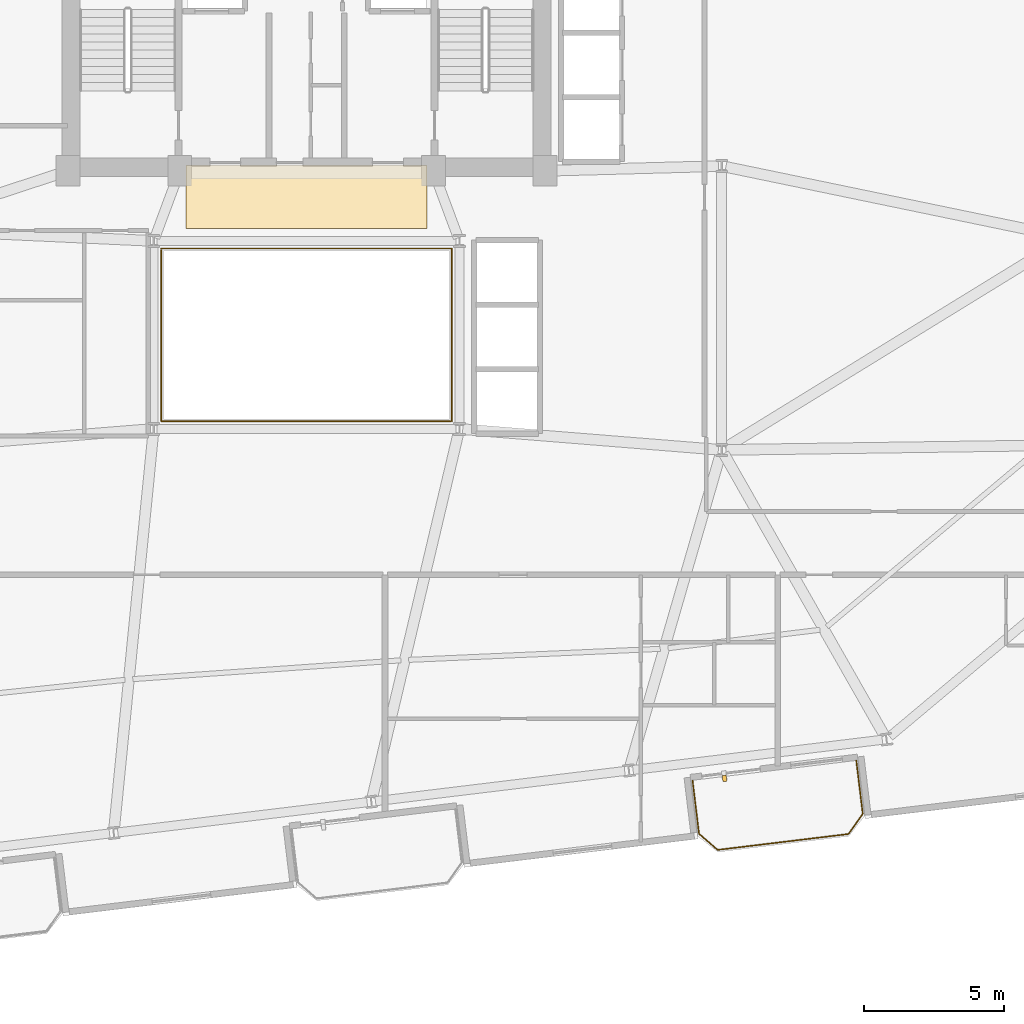
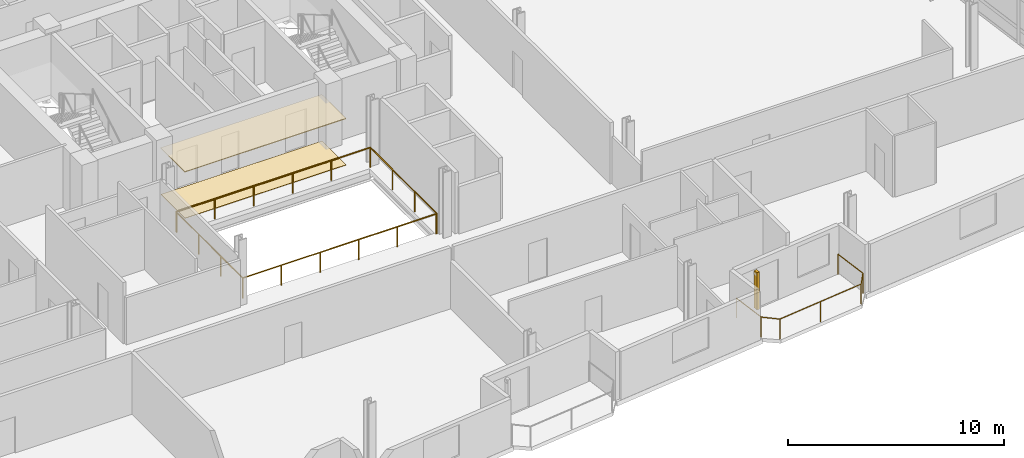
# One storey, part 21 of 23: 3 railings, 2 coverings, 1 shading device.
"""IFC4 building model written with IfcOpenShell, lengths in metres."""

from ifc_helpers import new_model, si_unit, direction, frame, origin, origin_2d, place, context, subcontext, project, spatial, rectangle, circle, extrude, source, transform, mapped, material, layer, layer_set, type_object, element, save


model = new_model("IFC4")

# Units and contexts
model_context = context("Model", 3, precision=1e-05, world=origin(), true_north=direction((0.0, 1.0)))
body_context = subcontext(model_context, "Body", "Model", "MODEL_VIEW")
ifc_project = project(units=[si_unit("LENGTHUNIT", "METRE"), si_unit("AREAUNIT", "SQUARE_METRE"), si_unit("VOLUMEUNIT", "CUBIC_METRE"), si_unit("PLANEANGLEUNIT", "RADIAN"), si_unit("MASSUNIT", "GRAM", prefix="KILO")], contexts=[model_context])

# Site, building, storey
site_placement = place(None, origin())
site = spatial("IfcSite", under=ifc_project, at=site_placement, CompositionType="ELEMENT")
building_placement = place(site_placement, origin())
building = spatial("IfcBuilding", under=site, at=building_placement, Name="Varnelok Gate Tower", CompositionType="ELEMENT")
storey_placement = place(building_placement, frame((0.0, 0.0, 182.0)))
storey = spatial("IfcBuildingStorey", under=building, at=storey_placement, Name="L46", CompositionType="ELEMENT", Elevation=182.0)

# Railings
ifc_material_1 = material(Name="Tempered Laminated Balustrade Glass", Category="glass")
railing_type_1 = type_object("IfcRailingType", Name="RL-ATR-GUARD1150", PredefinedType="GUARDRAIL", material=ifc_material_1)
railing_1_placement = place(storey_placement, frame((34.02001953125, 25.929931640625, 0.0)))
element("IfcRailing", 1, at=railing_1_placement, inside=storey, type_object=railing_type_1, Name="L46 Internal Atrium South-West Guardrail", PredefinedType="GUARDRAIL", context=body_context, shape_type="SweptSolid", body=[
    extrude(circle(Radius=0.02392578125, at=origin_2d()), frame((0.0, 0.0, 1.1259765625), z_axis=(0.0, -1.0, 0.0), x_axis=(1.0, 0.0, 0.0)), (0.0, 0.0, 1.0), 6.10986328125),
    extrude(circle(Radius=0.02392578125, at=origin_2d()), frame((0.0, -6.10986328125, 1.1259765625), z_axis=(1.0, 0.0, 0.0), x_axis=(0.0, 1.0, 0.0)), (0.0, 0.0, 1.0), 10.31005859375),
    extrude(circle(Radius=0.02099609375, at=origin_2d()), origin(), (0.0, 0.0, 1.0), 1.101806640625),
    extrude(circle(Radius=0.02099609375, at=origin_2d()), frame((0.0, -2.03662109375, 0.0)), (0.0, 0.0, 1.0), 1.101806640625),
    extrude(circle(Radius=0.02099609375, at=origin_2d()), frame((0.0, -4.0732421875, 0.0)), (0.0, 0.0, 1.0), 1.101806640625),
    extrude(circle(Radius=0.02099609375, at=origin_2d()), frame((0.0, -6.10986328125, 0.0)), (0.0, 0.0, 1.0), 1.101806640625),
    extrude(circle(Radius=0.02099609375, at=origin_2d()), frame((2.06201171875, -6.10986328125, 0.0)), (0.0, 0.0, 1.0), 1.101806640625),
    extrude(circle(Radius=0.02099609375, at=origin_2d()), frame((4.1240234375, -6.10986328125, 0.0)), (0.0, 0.0, 1.0), 1.101806640625),
    extrude(circle(Radius=0.02099609375, at=origin_2d()), frame((6.18603515625, -6.10986328125, 0.0)), (0.0, 0.0, 1.0), 1.101806640625),
    extrude(circle(Radius=0.02099609375, at=origin_2d()), frame((8.248046875, -6.10986328125, 0.0)), (0.0, 0.0, 1.0), 1.101806640625),
    extrude(circle(Radius=0.02099609375, at=origin_2d()), frame((10.31005859375, -6.10986328125, 0.0)), (0.0, 0.0, 1.0), 1.101806640625),
])
railing_2_placement = place(storey_placement, frame((44.3798828125, 19.820068359375, 0.0)))
element("IfcRailing", 2, at=railing_2_placement, inside=storey, type_object=railing_type_1, Name="L46 Internal Atrium North-East Guardrail", PredefinedType="GUARDRAIL", context=body_context, shape_type="SweptSolid", body=[
    extrude(circle(Radius=0.02392578125, at=origin_2d()), frame((0.0, 0.0, 1.1259765625), z_axis=(0.0, 1.0, 0.0), x_axis=(-1.0, 0.0, 0.0)), (0.0, 0.0, 1.0), 6.159912109375),
    extrude(circle(Radius=0.02392578125, at=origin_2d()), frame((0.0, 6.159912109375, 1.1259765625), z_axis=(-1.0, 0.0, 0.0), x_axis=(0.0, -1.0, 0.0)), (0.0, 0.0, 1.0), 10.35986328125),
    extrude(circle(Radius=0.02099609375, at=origin_2d()), origin(), (0.0, 0.0, 1.0), 1.101806640625),
    extrude(circle(Radius=0.02099609375, at=origin_2d()), frame((0.0, 2.05322265625, 0.0)), (0.0, 0.0, 1.0), 1.101806640625),
    extrude(circle(Radius=0.02099609375, at=origin_2d()), frame((0.0, 4.106689453125, 0.0)), (0.0, 0.0, 1.0), 1.101806640625),
    extrude(circle(Radius=0.02099609375, at=origin_2d()), frame((0.0, 6.159912109375, 0.0)), (0.0, 0.0, 1.0), 1.101806640625),
    extrude(circle(Radius=0.02099609375, at=origin_2d()), frame((-2.072021484375, 6.159912109375, 0.0)), (0.0, 0.0, 1.0), 1.101806640625),
    extrude(circle(Radius=0.02099609375, at=origin_2d()), frame((-4.14404296875, 6.159912109375, 0.0)), (0.0, 0.0, 1.0), 1.101806640625),
    extrude(circle(Radius=0.02099609375, at=origin_2d()), frame((-6.2158203125, 6.159912109375, 0.0)), (0.0, 0.0, 1.0), 1.101806640625),
    extrude(circle(Radius=0.02099609375, at=origin_2d()), frame((-8.287841796875, 6.159912109375, 0.0)), (0.0, 0.0, 1.0), 1.101806640625),
    extrude(circle(Radius=0.02099609375, at=origin_2d()), frame((-10.35986328125, 6.159912109375, 0.0)), (0.0, 0.0, 1.0), 1.101806640625),
])
ifc_material_2 = material(Name="Low-E Laminated Double Glazing IGU", Category="glass")
railing_type_2 = type_object("IfcRailingType", Name="RL-BALC-1150", PredefinedType="BALUSTRADE", material=ifc_material_2)
railing_3_placement = place(storey_placement, frame((52.95947265625, 7.023193359375, 0.0)))
element("IfcRailing", 3, at=railing_3_placement, inside=storey, type_object=railing_type_2, Name="L46 South Terrace Balustrade 3", PredefinedType="BALUSTRADE", context=body_context, shape_type="SweptSolid", body=[
    extrude(circle(Radius=0.02392578125, at=origin_2d()), frame((0.0, 0.0, 1.1259765625), z_axis=(0.12040351024, -0.992725034802, 0.0), x_axis=(0.992725034802, 0.12040351024, 0.0)), (0.0, 0.0, 1.0), 1.920166015625),
    extrude(circle(Radius=0.02392578125, at=origin_2d()), frame((0.231201171875, -1.90625, 1.1259765625), z_axis=(0.756303655992, -0.654220742513, 0.0), x_axis=(0.654220742513, 0.756303655992, 0.0)), (0.0, 0.0, 1.0), 0.877685546875),
    extrude(circle(Radius=0.02392578125, at=origin_2d()), frame((0.89501953125, -2.48046875, 1.1259765625), z_axis=(0.99273133746, 0.120351533534, 0.0), x_axis=(-0.120351533534, 0.99273133746, 0.0)), (0.0, 0.0, 1.0), 4.7001953125),
    extrude(circle(Radius=0.02392578125, at=origin_2d()), frame((5.56103515625, -1.914794921875, 1.1259765625), z_axis=(0.577971037086, 0.816057277579, 0.0), x_axis=(-0.816057277579, 0.577971037086, 0.0)), (0.0, 0.0, 1.0), 0.877685546875),
    extrude(circle(Radius=0.02392578125, at=origin_2d()), frame((6.068359375, -1.198486328125, 1.1259765625), z_axis=(-0.120293392036, 0.992738384386, 0.0), x_axis=(-0.992738384386, -0.120293392036, 0.0)), (0.0, 0.0, 1.0), 1.919921875),
    extrude(circle(Radius=0.02099609375, at=origin_2d()), origin(), (0.0, 0.0, 1.0), 1.101806640625),
    extrude(circle(Radius=0.02099609375, at=origin_2d()), frame((0.231201171875, -1.90625, 0.0)), (0.0, 0.0, 1.0), 1.101806640625),
    extrude(circle(Radius=0.02099609375, at=origin_2d()), frame((0.89501953125, -2.48046875, 0.0)), (0.0, 0.0, 1.0), 1.101806640625),
    extrude(circle(Radius=0.02099609375, at=origin_2d()), frame((3.22802734375, -2.19775390625, 0.0)), (0.0, 0.0, 1.0), 1.101806640625),
    extrude(circle(Radius=0.02099609375, at=origin_2d()), frame((5.56103515625, -1.914794921875, 0.0)), (0.0, 0.0, 1.0), 1.101806640625),
    extrude(circle(Radius=0.02099609375, at=origin_2d()), frame((6.068359375, -1.198486328125, 0.0)), (0.0, 0.0, 1.0), 1.101806640625),
    extrude(circle(Radius=0.02099609375, at=origin_2d()), frame((5.83740234375, 0.70751953125, 0.0)), (0.0, 0.0, 1.0), 1.101806640625),
])

# Shading device
ifc_material_3 = material(Name="Glazed Architectural Terracotta Ceramic", Category="masonry")
shading_device_type = type_object("IfcShadingDeviceType", Name="SHD-TERRA-BAGUETTE", PredefinedType="USERDEFINED", material=ifc_material_3)
shared_shape_1 = source(origin(), body_context, "Body", "SweptSolid", [
    extrude(rectangle(XDim=0.139892578125, YDim=0.219970703125, at=origin_2d()), origin(), (0.0, 0.0, 1.0), 2.10009765625),
])
shading_device_placement = place(storey_placement, frame((54.099609375, 7.0908203125, 0.099853515625), z_axis=(0.0, 0.0, 1.0), x_axis=(0.992732158755, 0.12034475881, 0.0)))
element("IfcShadingDevice", 4, at=shading_device_placement, inside=storey, type_object=shading_device_type, Name="L46 Terracotta Ceramic Baguette Sunscreen 3.1", ObjectType="BAGUETTE", PredefinedType="USERDEFINED", context=body_context, shape_type="MappedRepresentation", body=[
    mapped(shared_shape_1, transform((0.0, 0.0, 0.0), scale=1.0)),
])

# Coverings
ifc_material_4 = material(Name="Honed Travertine Stone Flooring", Category="masonry")
ifc_layer_1 = layer(ifc_material_4, 0.02490234375)
ifc_layer_set_1 = layer_set([ifc_layer_1], Name="Honed Travertine Stone Flooring")
covering_type_1 = type_object("IfcCoveringType", Name="COV-FLOR-STONE", PredefinedType="FLOORING", material=ifc_layer_set_1)
shared_shape_2 = source(origin(), body_context, "Body", "SweptSolid", [
    extrude(rectangle(XDim=8.60009765625, YDim=2.219970703125, at=origin_2d()), origin(), (0.0, 0.0, 1.0), 0.02490234375),
])
covering_1_placement = place(storey_placement, frame((39.199951171875, 27.800048828125, 0.0), z_axis=(0.0, 0.0, 1.0), x_axis=(1.0, 0.0, 0.0)))
element("IfcCovering", 5, at=covering_1_placement, inside=storey, type_object=covering_type_1, Name="L46 Core Gallery Stone Flooring", PredefinedType="FLOORING", context=body_context, shape_type="MappedRepresentation", body=[
    mapped(shared_shape_2, transform((0.0, 0.0, 0.0), scale=1.0)),
])
ifc_material_5 = material(Name="Mineral Fiber Acoustic Ceiling Tile")
ifc_layer_2 = layer(ifc_material_5, 0.0400390625)
ifc_layer_set_2 = layer_set([ifc_layer_2], Name="Mineral Fiber Acoustic Ceiling Tile")
covering_type_2 = type_object("IfcCoveringType", Name="COV-CEIL-ACOUST", PredefinedType="CEILING", material=ifc_layer_set_2)
shared_shape_3 = source(origin(), body_context, "Body", "SweptSolid", [
    extrude(rectangle(XDim=8.60009765625, YDim=2.239990234375, at=origin_2d()), origin(), (0.0, 0.0, 1.0), 0.0400390625),
])
covering_2_placement = place(storey_placement, frame((39.199951171875, 27.820068359375, 2.60009765625), z_axis=(0.0, 0.0, 1.0), x_axis=(1.0, 0.0, 0.0)))
element("IfcCovering", 6, at=covering_2_placement, inside=storey, type_object=covering_type_2, Name="L46 Core Gallery Acoustic Ceiling", PredefinedType="CEILING", context=body_context, shape_type="MappedRepresentation", body=[
    mapped(shared_shape_3, transform((0.0, 0.0, 0.0), scale=1.0)),
])

save(model, "model.ifc")
